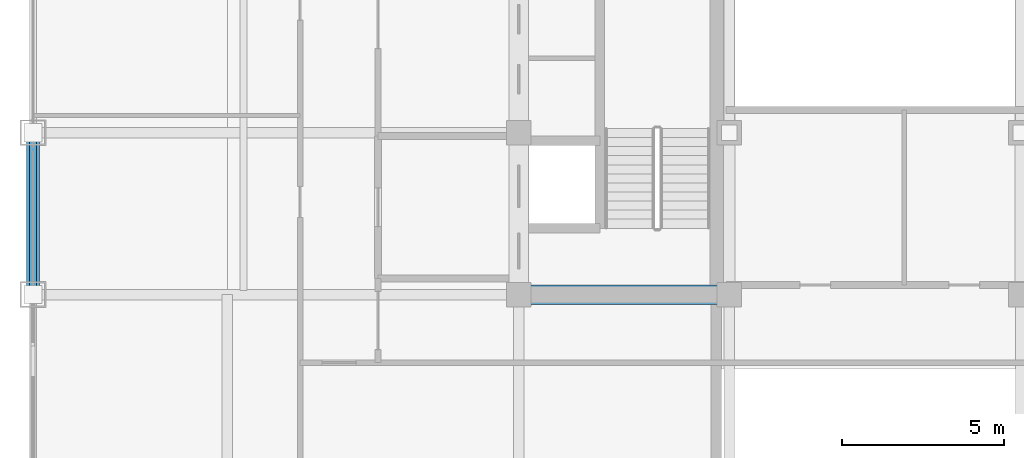
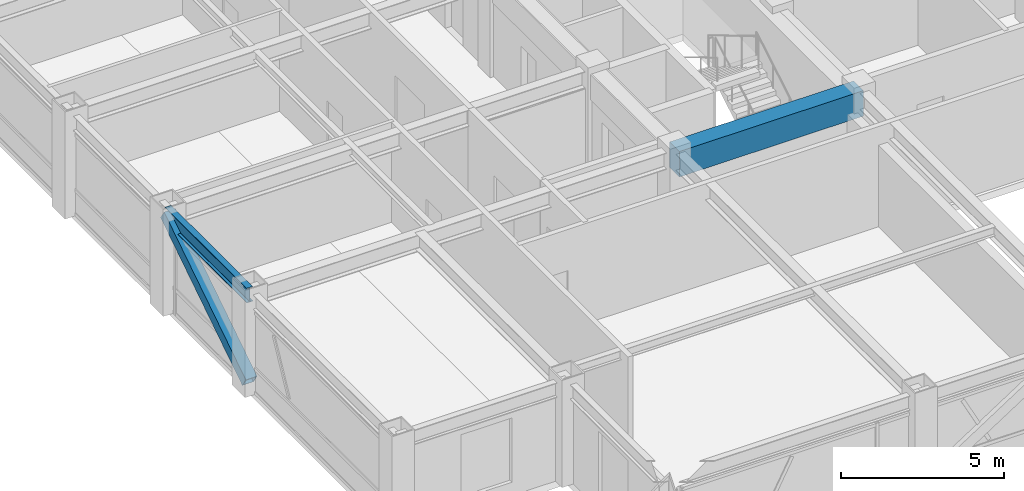
# One storey, part 6 of 29: 2 beams, 1 member.
"""IFC4 building model written with IfcOpenShell, lengths in metres."""

import ifcopenshell
import ifcopenshell.guid

model = None  # the IFC model being written
_history = None  # IfcOwnerHistory: only IFC2X3 demands one
_inside = {}  # id of a spatial element -> (the spatial element, [elements in it])
_under = {}  # id of a project, library or spatial element -> (it, [spatial elements below it])
_declared = {}  # id of a project -> (the project, [libraries it declares])
_typed = {}  # id of a type object -> (the type object, [elements of that type])
_made_of = {}  # id of a material, layer set ... -> (it, [elements and type objects made of it])


def new_model(schema):
    """Start an empty IFC model of exactly this schema.

    Asked for "IFC4X3", IfcOpenShell would pick the latest addendum, in which some entities
    have other attributes; the version numbers below select the first issue.
    IFC2X3 requires an IfcOwnerHistory on every rooted entity: one is made here for all.
    """
    global model, _history
    if schema == "IFC4X3":
        model = ifcopenshell.file(schema_version=(4, 3, 0, 0))
    else:
        model = ifcopenshell.file(schema=schema)
    _inside.clear()
    _under.clear()
    _declared.clear()
    _typed.clear()
    _made_of.clear()
    _history = None
    if model.schema == "IFC2X3":
        org = make("IfcOrganization", Name="unknown")
        user = make(
            "IfcPersonAndOrganization",
            ThePerson=make("IfcPerson", FamilyName="unknown"),
            TheOrganization=org,
        )
        app = make(
            "IfcApplication",
            ApplicationDeveloper=org,
            Version="unknown",
            ApplicationFullName="unknown",
            ApplicationIdentifier="unknown",
        )
        _history = make(
            "IfcOwnerHistory",
            OwningUser=user,
            OwningApplication=app,
            ChangeAction="ADDED",
            CreationDate=0,
        )
    return model


def make(cls, **values):
    """One entity of the class cls with the attributes given. An attribute that is None is left unset."""
    return model.create_entity(
        cls, **{name: value for name, value in values.items() if value is not None}
    )


def rooted(cls, **values):
    """An entity with a GlobalId (a new one), such as an element, a storey or a relation."""
    return make(cls, GlobalId=ifcopenshell.guid.new(), OwnerHistory=_history, **values)


def si_unit(unit_type, name, prefix=None):
    """IfcSIUnit, for example si_unit("LENGTHUNIT", "METRE", prefix="MILLI")."""
    return make("IfcSIUnit", UnitType=unit_type, Prefix=prefix, Name=name)


def assignment(units):
    """IfcUnitAssignment: the units of a project."""
    return None if units is None else make("IfcUnitAssignment", Units=units)


def point(xyz):
    """IfcCartesianPoint."""
    return None if xyz is None else make("IfcCartesianPoint", Coordinates=xyz)


def direction(xyz):
    """IfcDirection."""
    return None if xyz is None else make("IfcDirection", DirectionRatios=xyz)


def frame(location, z_axis=None, x_axis=None):
    """IfcAxis2Placement3D, a coordinate frame: its origin and axes. An axis left out is left unset."""
    return make(
        "IfcAxis2Placement3D",
        Location=point(location),
        Axis=direction(z_axis),
        RefDirection=direction(x_axis),
    )


def frame_2d(location, x_axis=None):
    """IfcAxis2Placement2D, a coordinate frame in the plane: its origin and x axis."""
    return make(
        "IfcAxis2Placement2D", Location=point(location), RefDirection=direction(x_axis)
    )


def origin():
    """The frame at (0, 0, 0) with its axes left unset."""
    return frame((0.0, 0.0, 0.0))


def origin_2d():
    """The frame at (0, 0) in the plane with its x axis left unset."""
    return frame_2d((0.0, 0.0))


def place(relative_to, where):
    """IfcLocalPlacement: puts the frame where relative to a parent placement (None: the world)."""
    return make(
        "IfcLocalPlacement", PlacementRelTo=relative_to, RelativePlacement=where
    )


def context(
    kind, dimensions, precision=None, world=None, true_north=None, identifier=None
):
    """IfcGeometricRepresentationContext, for example the 3D "Model" context."""
    return make(
        "IfcGeometricRepresentationContext",
        ContextIdentifier=identifier,
        ContextType=kind,
        CoordinateSpaceDimension=dimensions,
        Precision=precision,
        WorldCoordinateSystem=world,
        TrueNorth=true_north,
    )


def subcontext(parent, identifier, kind, view, scale=None):
    """IfcGeometricRepresentationSubContext, for example "Body" below "Model"."""
    return make(
        "IfcGeometricRepresentationSubContext",
        ContextIdentifier=identifier,
        ContextType=kind,
        ParentContext=parent,
        TargetScale=scale,
        TargetView=view,
    )


def project(units=None, contexts=None):
    """IfcProject with its units and contexts."""
    return rooted(
        "IfcProject",
        Name="project",
        RepresentationContexts=contexts,
        UnitsInContext=assignment(units),
    )


def spatial(cls, under=None, at=None, **own):
    """A site, building, storey or space (cls), placed at a placement, below another one or the project."""
    s = rooted(cls, ObjectPlacement=at, **own)
    if under is not None:
        _under.setdefault(under.id(), (under, []))[1].append(s)
    return s


def profile(cls, at=None, kind="AREA", **sizes):
    """A parametric profile (cls). Its sizes go by their IFC names, for example OverallWidth=200.0."""
    return make(cls, ProfileType=kind, Position=at, **sizes)


def rectangle(**sizes):
    """IfcRectangleProfileDef."""
    return profile("IfcRectangleProfileDef", **sizes)


def hollow_rectangle(**sizes):
    """IfcRectangleHollowProfileDef."""
    return profile("IfcRectangleHollowProfileDef", **sizes)


def i_section(**sizes):
    """IfcIShapeProfileDef."""
    return profile("IfcIShapeProfileDef", **sizes)


def extrude(swept, where, along, depth):
    """IfcExtrudedAreaSolid: the profile swept, set in the frame where, extruded along a direction by depth."""
    return make(
        "IfcExtrudedAreaSolid",
        SweptArea=swept,
        Position=where,
        ExtrudedDirection=direction(along),
        Depth=depth,
    )


def shape(context_of_items, identifier, shape_type, items):
    """IfcShapeRepresentation: the items that make up one representation, for example the "Body"."""
    return make(
        "IfcShapeRepresentation",
        ContextOfItems=context_of_items,
        RepresentationIdentifier=identifier,
        RepresentationType=shape_type,
        Items=items,
    )


def source(mapping_origin, context_of_items, identifier, shape_type, items):
    """IfcRepresentationMap: a shape defined once, which mapped items show again and again."""
    return make(
        "IfcRepresentationMap",
        MappingOrigin=mapping_origin,
        MappedRepresentation=shape(context_of_items, identifier, shape_type, items),
    )


def transform(
    local_origin,
    x_axis=None,
    y_axis=None,
    z_axis=None,
    scale=None,
    scale2=None,
    scale3=None,
    uniform=True,
):
    """IfcCartesianTransformationOperator3D, or its non-uniform kind. x_axis, y_axis, z_axis: its Axis1, 2, 3."""
    if uniform:
        return make(
            "IfcCartesianTransformationOperator3D",
            Axis1=direction(x_axis),
            Axis2=direction(y_axis),
            LocalOrigin=point(local_origin),
            Scale=scale,
            Axis3=direction(z_axis),
        )
    return make(
        "IfcCartesianTransformationOperator3DnonUniform",
        Axis1=direction(x_axis),
        Axis2=direction(y_axis),
        LocalOrigin=point(local_origin),
        Scale=scale,
        Axis3=direction(z_axis),
        Scale2=scale2,
        Scale3=scale3,
    )


def mapped(mapping_source, mapping_target):
    """IfcMappedItem: shows the shape of a source again, moved by a transform."""
    return make(
        "IfcMappedItem", MappingSource=mapping_source, MappingTarget=mapping_target
    )


def material(Name=None, Category=None):
    """IfcMaterial."""
    return make("IfcMaterial", Name=Name, Category=Category)


def material_profile(
    of_material, cross_section, Name=None, Category=None, Priority=None
):
    """IfcMaterialProfile: a cross section and its material."""
    return make(
        "IfcMaterialProfile",
        Name=Name,
        Material=of_material,
        Profile=cross_section,
        Priority=Priority,
        Category=Category,
    )


def profile_set(profiles, Name=None, composite=None):
    """IfcMaterialProfileSet."""
    return make(
        "IfcMaterialProfileSet",
        Name=Name,
        MaterialProfiles=profiles,
        CompositeProfile=composite,
    )


def made_of(thing, what):
    """Note that an element or type object is made of a material, layer set ...; save() writes the relation."""
    if what is not None:
        _made_of.setdefault(what.id(), (what, []))[1].append(thing)
    return thing


def type_object(cls, material=None, **own):
    """A type object (cls), such as IfcWallType, which elements share."""
    return made_of(rooted(cls, **own), material)


def element(
    cls,
    number,
    at=None,
    inside=None,
    cuts=None,
    type_object=None,
    material=None,
    context=None,
    identifier="Body",
    shape_type=None,
    held_by="IfcProductDefinitionShape",
    body=None,
    shapes=None,
    **own,
):
    """One element of the class cls, such as IfcWall. Its Tag is "e" and its number.

    at: its placement. inside: the storey or other place that contains it. cuts: it is an
    opening in that element (IfcRelVoidsElement). A single representation is given by context,
    identifier, shape_type and body (its items); several are given by shapes. held_by: the class
    of the entity that holds the representations. save() writes the other relations.
    """
    e = rooted(cls, Tag="e%d" % number, ObjectPlacement=at, **own)
    if body is not None:
        shapes = [shape(context, identifier, shape_type, body)]
    if shapes is not None:
        e.Representation = make(held_by, Representations=shapes)
    if inside is not None:
        _inside.setdefault(inside.id(), (inside, []))[1].append(e)
    if cuts is not None:
        rooted(
            "IfcRelVoidsElement", RelatingBuildingElement=cuts, RelatedOpeningElement=e
        )
    if type_object is not None:
        _typed.setdefault(type_object.id(), (type_object, []))[1].append(e)
    return made_of(e, material)


def aggregate(whole, parts):
    """IfcRelAggregates: a whole, such as a stair, and the parts it consists of."""
    return rooted("IfcRelAggregates", RelatingObject=whole, RelatedObjects=parts)


def save(model, path):
    """Write the relations noted so far, then the file.

    IfcRelAggregates (storeys below a building ...), IfcRelContainedInSpatialStructure (elements
    in a storey), IfcRelDefinesByType, IfcRelAssociatesMaterial and IfcRelDeclares: one each for
    every whole, place, type object, material and project.
    """
    for whole, parts in _under.values():
        aggregate(whole, parts)
    for where, things in _inside.values():
        rooted(
            "IfcRelContainedInSpatialStructure",
            RelatedElements=things,
            RelatingStructure=where,
        )
    for kind, things in _typed.values():
        rooted("IfcRelDefinesByType", RelatedObjects=things, RelatingType=kind)
    for what, things in _made_of.values():
        rooted("IfcRelAssociatesMaterial", RelatedObjects=things, RelatingMaterial=what)
    for by, libraries in _declared.values():
        rooted("IfcRelDeclares", RelatingContext=by, RelatedDefinitions=libraries)
    model.write(path)


model = new_model("IFC4")

# Units and contexts
model_context = context("Model", 3, precision=1e-05, world=origin(), true_north=direction((0.0, 1.0)))
body_context = subcontext(model_context, "Body", "Model", "MODEL_VIEW")
ifc_project = project(units=[si_unit("LENGTHUNIT", "METRE"), si_unit("AREAUNIT", "SQUARE_METRE"), si_unit("VOLUMEUNIT", "CUBIC_METRE"), si_unit("PLANEANGLEUNIT", "RADIAN"), si_unit("MASSUNIT", "GRAM", prefix="KILO")], contexts=[model_context])

# Site, building, storey
site_placement = place(None, origin())
site = spatial("IfcSite", under=ifc_project, at=site_placement, CompositionType="ELEMENT")
building_placement = place(site_placement, origin())
building = spatial("IfcBuilding", under=site, at=building_placement, Name="Khorayat Bourse Tower", CompositionType="ELEMENT")
storey_placement = place(building_placement, frame((0.0, 0.0, 350.300048828125)))
storey = spatial("IfcBuildingStorey", under=building, at=storey_placement, Name="L83", CompositionType="ELEMENT", Elevation=350.300048828125)

# Beams
ifc_material_1 = material(Name="Concrete C60/75", Category="concrete")
ifc_material_profile_1 = material_profile(ifc_material_1, rectangle(XDim=0.60009765625, YDim=0.949951171875, at=origin_2d()), Name="RC 600x950")
ifc_profile_set_1 = profile_set([ifc_material_profile_1], Name="Concrete C60/75")
beam_type_1 = type_object("IfcBeamType", Name="BM-COUP-950", PredefinedType="BEAM", material=ifc_profile_set_1)
shared_shape_1 = source(origin(), body_context, "Body", "SweptSolid", [
    extrude(rectangle(XDim=0.60009765625, YDim=0.949951171875, at=origin_2d()), origin(), (0.0, 0.0, 1.0), 6.5),
])
beam_1_placement = place(storey_placement, frame((-11.0, -11.0, 3.264892578125), z_axis=(1.0, 0.0, 0.0), x_axis=(0.0, 1.0, 0.0)))
element("IfcBeam", 1, at=beam_1_placement, inside=storey, type_object=beam_type_1, Name="L83 BM-COUP-950 BM-L83-CRY-17", PredefinedType="BEAM", context=body_context, shape_type="MappedRepresentation", body=[
    mapped(shared_shape_1, transform((0.0, 0.0, 0.0), scale=1.0)),
])
ifc_material_2 = material(Name="Steel ASTM A992 Grade 50", Category="steel")
ifc_material_profile_2 = material_profile(ifc_material_2, i_section(OverallWidth=0.214111328125, OverallDepth=0.549072265625, WebThickness=0.0146484375, FlangeThickness=0.023681640625, FilletRadius=0.013916015625, at=origin_2d()), Name="W530X138")
ifc_profile_set_2 = profile_set([ifc_material_profile_2], Name="Steel ASTM A992 Grade 50")
beam_type_2 = type_object("IfcBeamType", Name="BM-SPAN-530", PredefinedType="SPANDREL", material=ifc_profile_set_2)
shared_shape_2 = source(origin(), body_context, "Body", "SweptSolid", [
    extrude(i_section(OverallWidth=0.214111328125, OverallDepth=0.549072265625, WebThickness=0.0146484375, FlangeThickness=0.023681640625, FilletRadius=0.013916015625, at=origin_2d()), origin(), (0.0, 0.0, 1.0), 5.0),
])
beam_2_placement = place(storey_placement, frame((-26.0, -11.0, 3.46533203125), z_axis=(0.0, 1.0, 0.0), x_axis=(-1.0, 0.0, 0.0)))
element("IfcBeam", 2, at=beam_2_placement, inside=storey, type_object=beam_type_2, Name="L83 BM-SPAN-530 BM-L83-SPN-049", PredefinedType="SPANDREL", context=body_context, shape_type="MappedRepresentation", body=[
    mapped(shared_shape_2, transform((0.0, 0.0, 0.0), scale=1.0)),
])

# Member
ifc_material_3 = material(Name="Steel EN 10025-4 S460M", Category="steel")
ifc_material_profile_3 = material_profile(ifc_material_3, hollow_rectangle(XDim=0.39990234375, YDim=0.39990234375, WallThickness=0.02197265625, at=origin_2d()), Name="HSS 400x400x22")
ifc_profile_set_3 = profile_set([ifc_material_profile_3], Name="Steel EN 10025-4 S460M")
member_type = type_object("IfcMemberType", Name="MBR-TUBE-400", PredefinedType="BRACE", material=ifc_profile_set_3)
shared_shape_3 = source(origin(), body_context, "Body", "SweptSolid", [
    extrude(hollow_rectangle(XDim=0.39990234375, YDim=0.39990234375, WallThickness=0.02197265625, at=origin_2d()), origin(), (0.0, 0.0, 1.0), 5.9580078125),
])
member_placement = place(storey_placement, frame((-26.0, -11.0, 0.25), z_axis=(0.0, 0.839210474455, 0.543806748364), x_axis=(-1.0, 0.0, 0.0)))
element("IfcMember", 3, at=member_placement, inside=storey, type_object=member_type, Name="L83 Perimeter Tube Brace 05", PredefinedType="BRACE", context=body_context, shape_type="MappedRepresentation", body=[
    mapped(shared_shape_3, transform((0.0, 0.0, 0.0), scale=1.0)),
])

save(model, "model.ifc")
